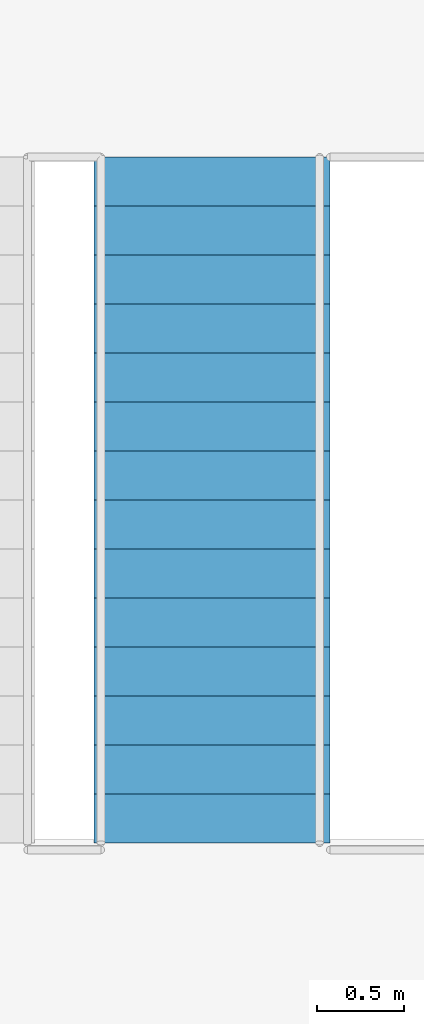
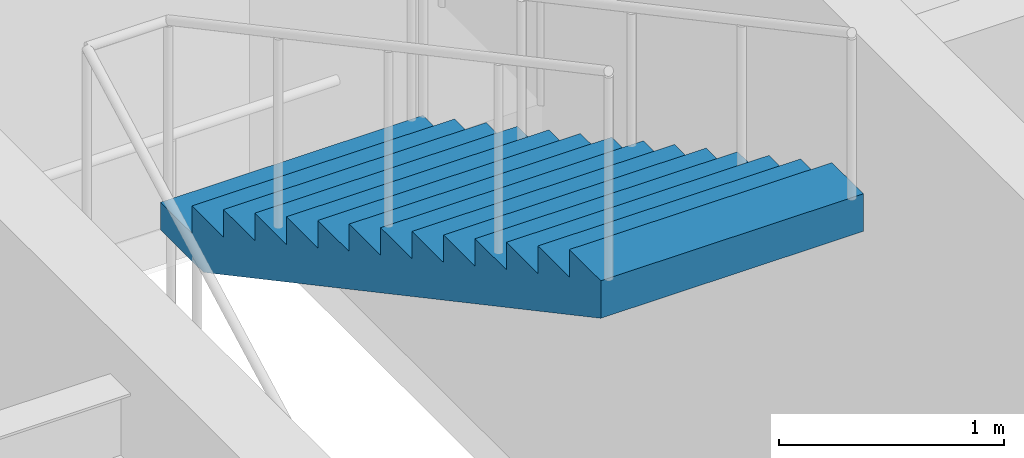
# One storey, part 9 of 12: 1 stair flight, 1 element without a shape of its own.
"""IFC4 building model written with IfcOpenShell, lengths in metres."""

from ifc_helpers import new_model, si_unit, direction, frame, origin, place, context, subcontext, project, spatial, polyline, outline, extrude, material, type_object, element, aggregate, save


model = new_model("IFC4")

# Units and contexts
model_context = context("Model", 3, precision=1e-05, world=origin(), true_north=direction((0.0, 1.0)))
body_context = subcontext(model_context, "Body", "Model", "MODEL_VIEW")
ifc_project = project(units=[si_unit("LENGTHUNIT", "METRE"), si_unit("AREAUNIT", "SQUARE_METRE"), si_unit("VOLUMEUNIT", "CUBIC_METRE"), si_unit("PLANEANGLEUNIT", "RADIAN"), si_unit("MASSUNIT", "GRAM", prefix="KILO")], contexts=[model_context])

# Site, building, storey
site_placement = place(None, origin())
site = spatial("IfcSite", under=ifc_project, at=site_placement, CompositionType="ELEMENT")
building_placement = place(site_placement, origin())
building = spatial("IfcBuilding", under=site, at=building_placement, Name="Keelwater Ferry Terminal", CompositionType="ELEMENT")
storey_placement = place(building_placement, frame((0.0, 0.0, 19.5)))
storey = spatial("IfcBuildingStorey", under=building, at=storey_placement, Name="L04", CompositionType="ELEMENT", Elevation=19.5)

# Stair, stair flight
ifc_material_1 = material(Name="Concrete C40/50", Category="concrete")
stair_type = type_object("IfcStairType", Name="ST-T08 Half-Turn Stair 1350W 28R", PredefinedType="HALF_TURN_STAIR", material=ifc_material_1)
stair_placement = place(storey_placement, origin())
stair = element("IfcStair", 1, at=stair_placement, inside=storey, type_object=stair_type, Name="Half-Turn Stair ST-C3-L04", PredefinedType="HALF_TURN_STAIR")
ifc_material_2 = material(Name="Concrete C40/50", Category="concrete")
stair_flight_type = type_object("IfcStairFlightType", Name="FL-T08 Straight Flight 1350W 28R", PredefinedType="STRAIGHT", material=ifc_material_2)
stair_flight_placement = place(storey_placement, frame((158.56494140625, 105.219970703125, 2.10009765625), z_axis=(0.0, 0.0, 1.0), x_axis=(0.0, -1.0, 0.0)))
stair_flight = element("IfcStairFlight", 2, at=stair_flight_placement, type_object=stair_flight_type, Name="ST-C3-L04 flight 2", NumberOfRisers=14, NumberOfTreads=13, PredefinedType="STRAIGHT", RiserHeight=0.15, TreadLength=0.28, context=body_context, shape_type="SweptSolid", body=[
    extrude(outline(polyline([(0.0, 0.0), (0.0, 0.14990234375), (0.280029296875, 0.14990234375), (0.280029296875, 0.300048828125), (0.56005859375, 0.300048828125), (0.56005859375, 0.449951171875), (0.840087890625, 0.449951171875), (0.840087890625, 0.60009765625), (1.1201171875, 0.60009765625), (1.1201171875, 0.75), (1.39990234375, 0.75), (1.39990234375, 0.89990234375), (1.679931640625, 0.89990234375), (1.679931640625, 1.050048828125), (1.9599609375, 1.050048828125), (1.9599609375, 1.199951171875), (2.239990234375, 1.199951171875), (2.239990234375, 1.35009765625), (2.52001953125, 1.35009765625), (2.52001953125, 1.5), (2.800048828125, 1.5), (2.800048828125, 1.64990234375), (3.080078125, 1.64990234375), (3.080078125, 1.800048828125), (3.360107421875, 1.800048828125), (3.360107421875, 1.949951171875), (3.639892578125, 1.949951171875), (3.639892578125, 2.10009765625), (3.919921875, 2.10009765625), (3.919921875, 1.89599609375), (0.381103515625, 0.0), (0.0, 0.0)])), frame((0.0, 0.675048828125, 0.0), z_axis=(0.0, -1.0, 0.0), x_axis=(1.0, 0.0, 0.0)), (0.0, 0.0, 1.0), 1.35009765625),
])
aggregate(stair, [stair_flight])

save(model, "model.ifc")
